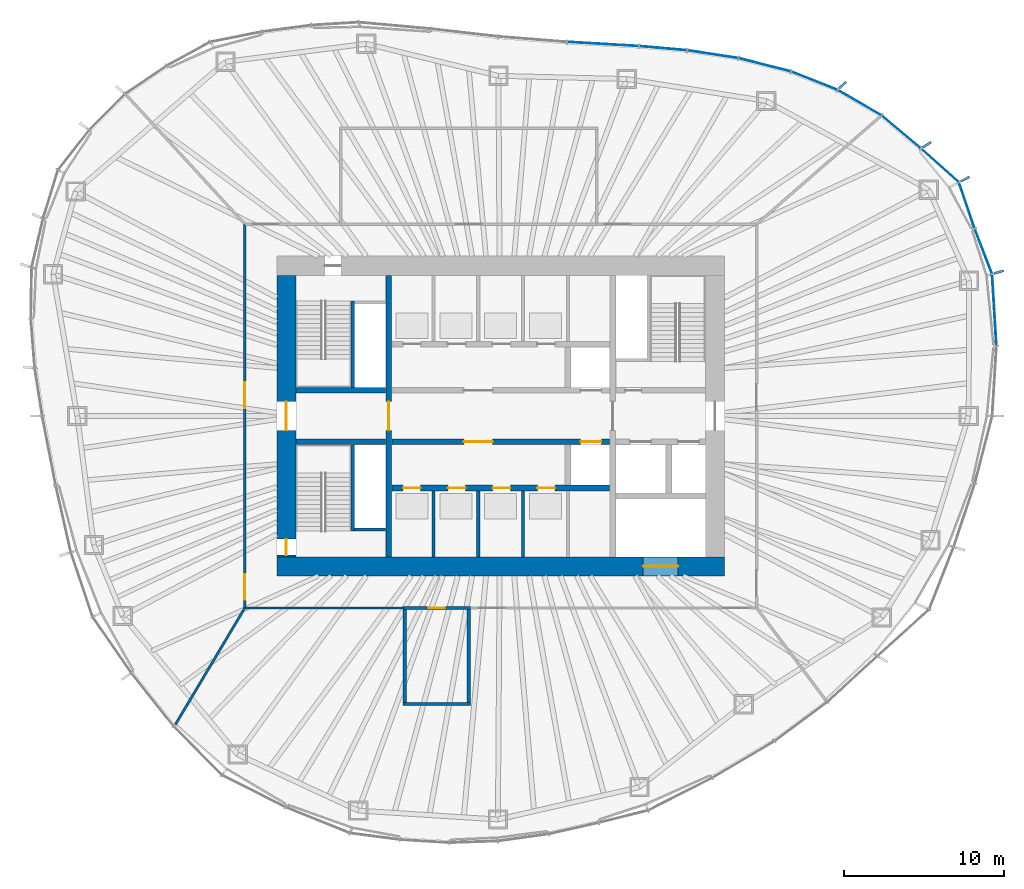
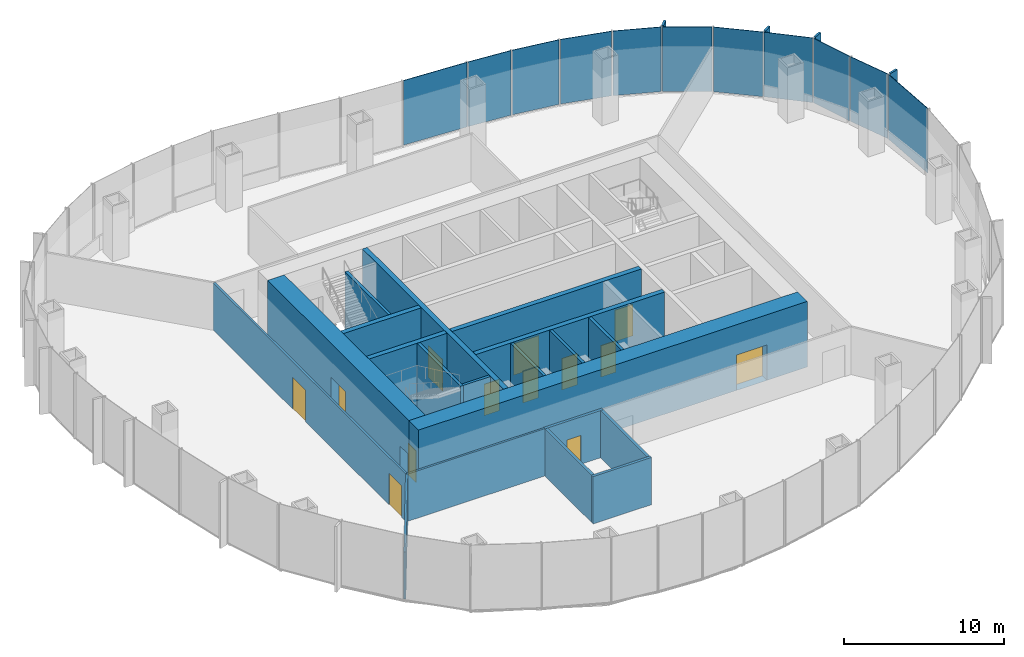
# One storey, part 8 of 18: 20 walls, 15 plates, 13 doors, 13 openings, 5 elements without a shape of their own.
"""IFC4 building model written with IfcOpenShell, lengths in metres."""

import ifcopenshell
import ifcopenshell.guid

model = None  # the IFC model being written
_history = None  # IfcOwnerHistory: only IFC2X3 demands one
_inside = {}  # id of a spatial element -> (the spatial element, [elements in it])
_under = {}  # id of a project, library or spatial element -> (it, [spatial elements below it])
_declared = {}  # id of a project -> (the project, [libraries it declares])
_typed = {}  # id of a type object -> (the type object, [elements of that type])
_made_of = {}  # id of a material, layer set ... -> (it, [elements and type objects made of it])


def new_model(schema):
    """Start an empty IFC model of exactly this schema.

    Asked for "IFC4X3", IfcOpenShell would pick the latest addendum, in which some entities
    have other attributes; the version numbers below select the first issue.
    IFC2X3 requires an IfcOwnerHistory on every rooted entity: one is made here for all.
    """
    global model, _history
    if schema == "IFC4X3":
        model = ifcopenshell.file(schema_version=(4, 3, 0, 0))
    else:
        model = ifcopenshell.file(schema=schema)
    _inside.clear()
    _under.clear()
    _declared.clear()
    _typed.clear()
    _made_of.clear()
    _history = None
    if model.schema == "IFC2X3":
        org = make("IfcOrganization", Name="unknown")
        user = make(
            "IfcPersonAndOrganization",
            ThePerson=make("IfcPerson", FamilyName="unknown"),
            TheOrganization=org,
        )
        app = make(
            "IfcApplication",
            ApplicationDeveloper=org,
            Version="unknown",
            ApplicationFullName="unknown",
            ApplicationIdentifier="unknown",
        )
        _history = make(
            "IfcOwnerHistory",
            OwningUser=user,
            OwningApplication=app,
            ChangeAction="ADDED",
            CreationDate=0,
        )
    return model


def make(cls, **values):
    """One entity of the class cls with the attributes given. An attribute that is None is left unset."""
    return model.create_entity(
        cls, **{name: value for name, value in values.items() if value is not None}
    )


def rooted(cls, **values):
    """An entity with a GlobalId (a new one), such as an element, a storey or a relation."""
    return make(cls, GlobalId=ifcopenshell.guid.new(), OwnerHistory=_history, **values)


def si_unit(unit_type, name, prefix=None):
    """IfcSIUnit, for example si_unit("LENGTHUNIT", "METRE", prefix="MILLI")."""
    return make("IfcSIUnit", UnitType=unit_type, Prefix=prefix, Name=name)


def assignment(units):
    """IfcUnitAssignment: the units of a project."""
    return None if units is None else make("IfcUnitAssignment", Units=units)


def point(xyz):
    """IfcCartesianPoint."""
    return None if xyz is None else make("IfcCartesianPoint", Coordinates=xyz)


def direction(xyz):
    """IfcDirection."""
    return None if xyz is None else make("IfcDirection", DirectionRatios=xyz)


def frame(location, z_axis=None, x_axis=None):
    """IfcAxis2Placement3D, a coordinate frame: its origin and axes. An axis left out is left unset."""
    return make(
        "IfcAxis2Placement3D",
        Location=point(location),
        Axis=direction(z_axis),
        RefDirection=direction(x_axis),
    )


def frame_2d(location, x_axis=None):
    """IfcAxis2Placement2D, a coordinate frame in the plane: its origin and x axis."""
    return make(
        "IfcAxis2Placement2D", Location=point(location), RefDirection=direction(x_axis)
    )


def origin():
    """The frame at (0, 0, 0) with its axes left unset."""
    return frame((0.0, 0.0, 0.0))


def origin_2d():
    """The frame at (0, 0) in the plane with its x axis left unset."""
    return frame_2d((0.0, 0.0))


def place(relative_to, where):
    """IfcLocalPlacement: puts the frame where relative to a parent placement (None: the world)."""
    return make(
        "IfcLocalPlacement", PlacementRelTo=relative_to, RelativePlacement=where
    )


def context(
    kind, dimensions, precision=None, world=None, true_north=None, identifier=None
):
    """IfcGeometricRepresentationContext, for example the 3D "Model" context."""
    return make(
        "IfcGeometricRepresentationContext",
        ContextIdentifier=identifier,
        ContextType=kind,
        CoordinateSpaceDimension=dimensions,
        Precision=precision,
        WorldCoordinateSystem=world,
        TrueNorth=true_north,
    )


def subcontext(parent, identifier, kind, view, scale=None):
    """IfcGeometricRepresentationSubContext, for example "Body" below "Model"."""
    return make(
        "IfcGeometricRepresentationSubContext",
        ContextIdentifier=identifier,
        ContextType=kind,
        ParentContext=parent,
        TargetScale=scale,
        TargetView=view,
    )


def project(units=None, contexts=None):
    """IfcProject with its units and contexts."""
    return rooted(
        "IfcProject",
        Name="project",
        RepresentationContexts=contexts,
        UnitsInContext=assignment(units),
    )


def spatial(cls, under=None, at=None, **own):
    """A site, building, storey or space (cls), placed at a placement, below another one or the project."""
    s = rooted(cls, ObjectPlacement=at, **own)
    if under is not None:
        _under.setdefault(under.id(), (under, []))[1].append(s)
    return s


def profile(cls, at=None, kind="AREA", **sizes):
    """A parametric profile (cls). Its sizes go by their IFC names, for example OverallWidth=200.0."""
    return make(cls, ProfileType=kind, Position=at, **sizes)


def rectangle(**sizes):
    """IfcRectangleProfileDef."""
    return profile("IfcRectangleProfileDef", **sizes)


def extrude(swept, where, along, depth):
    """IfcExtrudedAreaSolid: the profile swept, set in the frame where, extruded along a direction by depth."""
    return make(
        "IfcExtrudedAreaSolid",
        SweptArea=swept,
        Position=where,
        ExtrudedDirection=direction(along),
        Depth=depth,
    )


def shape(context_of_items, identifier, shape_type, items):
    """IfcShapeRepresentation: the items that make up one representation, for example the "Body"."""
    return make(
        "IfcShapeRepresentation",
        ContextOfItems=context_of_items,
        RepresentationIdentifier=identifier,
        RepresentationType=shape_type,
        Items=items,
    )


def material(Name=None, Category=None):
    """IfcMaterial."""
    return make("IfcMaterial", Name=Name, Category=Category)


def layer(
    of_material, thickness, ventilated=None, Name=None, Category=None, Priority=None
):
    """IfcMaterialLayer: one layer of a wall or slab, of a material (None: an air gap)."""
    return make(
        "IfcMaterialLayer",
        Material=of_material,
        LayerThickness=thickness,
        IsVentilated=ventilated,
        Name=Name,
        Category=Category,
        Priority=Priority,
    )


def layer_set(layers, Name=None):
    """IfcMaterialLayerSet."""
    return make("IfcMaterialLayerSet", MaterialLayers=layers, LayerSetName=Name)


def made_of(thing, what):
    """Note that an element or type object is made of a material, layer set ...; save() writes the relation."""
    if what is not None:
        _made_of.setdefault(what.id(), (what, []))[1].append(thing)
    return thing


def type_object(cls, material=None, **own):
    """A type object (cls), such as IfcWallType, which elements share."""
    return made_of(rooted(cls, **own), material)


def element(
    cls,
    number,
    at=None,
    inside=None,
    cuts=None,
    type_object=None,
    material=None,
    context=None,
    identifier="Body",
    shape_type=None,
    held_by="IfcProductDefinitionShape",
    body=None,
    shapes=None,
    **own,
):
    """One element of the class cls, such as IfcWall. Its Tag is "e" and its number.

    at: its placement. inside: the storey or other place that contains it. cuts: it is an
    opening in that element (IfcRelVoidsElement). A single representation is given by context,
    identifier, shape_type and body (its items); several are given by shapes. held_by: the class
    of the entity that holds the representations. save() writes the other relations.
    """
    e = rooted(cls, Tag="e%d" % number, ObjectPlacement=at, **own)
    if body is not None:
        shapes = [shape(context, identifier, shape_type, body)]
    if shapes is not None:
        e.Representation = make(held_by, Representations=shapes)
    if inside is not None:
        _inside.setdefault(inside.id(), (inside, []))[1].append(e)
    if cuts is not None:
        rooted(
            "IfcRelVoidsElement", RelatingBuildingElement=cuts, RelatedOpeningElement=e
        )
    if type_object is not None:
        _typed.setdefault(type_object.id(), (type_object, []))[1].append(e)
    return made_of(e, material)


def fill(opening, filler):
    """IfcRelFillsElement: the door or window that sits in an opening."""
    return rooted(
        "IfcRelFillsElement",
        RelatingOpeningElement=opening,
        RelatedBuildingElement=filler,
    )


def aggregate(whole, parts):
    """IfcRelAggregates: a whole, such as a stair, and the parts it consists of."""
    return rooted("IfcRelAggregates", RelatingObject=whole, RelatedObjects=parts)


def save(model, path):
    """Write the relations noted so far, then the file.

    IfcRelAggregates (storeys below a building ...), IfcRelContainedInSpatialStructure (elements
    in a storey), IfcRelDefinesByType, IfcRelAssociatesMaterial and IfcRelDeclares: one each for
    every whole, place, type object, material and project.
    """
    for whole, parts in _under.values():
        aggregate(whole, parts)
    for where, things in _inside.values():
        rooted(
            "IfcRelContainedInSpatialStructure",
            RelatedElements=things,
            RelatingStructure=where,
        )
    for kind, things in _typed.values():
        rooted("IfcRelDefinesByType", RelatedObjects=things, RelatingType=kind)
    for what, things in _made_of.values():
        rooted("IfcRelAssociatesMaterial", RelatedObjects=things, RelatingMaterial=what)
    for by, libraries in _declared.values():
        rooted("IfcRelDeclares", RelatingContext=by, RelatedDefinitions=libraries)
    model.write(path)


model = new_model("IFC4")

# Units and contexts
model_context = context("Model", 3, precision=1e-05, world=origin(), true_north=direction((0.0, 1.0)))
body_context = subcontext(model_context, "Body", "Model", "MODEL_VIEW")
ifc_project = project(units=[si_unit("LENGTHUNIT", "METRE"), si_unit("AREAUNIT", "SQUARE_METRE"), si_unit("VOLUMEUNIT", "CUBIC_METRE"), si_unit("PLANEANGLEUNIT", "RADIAN"), si_unit("MASSUNIT", "GRAM", prefix="KILO")], contexts=[model_context])

# Site, building, storey
site_placement = place(None, origin())
site = spatial("IfcSite", under=ifc_project, at=site_placement, CompositionType="ELEMENT")
building_placement = place(site_placement, origin())
building = spatial("IfcBuilding", under=site, at=building_placement, Name="Ghaith Harvest Tower", CompositionType="ELEMENT")
storey_placement = place(building_placement, frame((0.0, 0.0, 184.800048828125)))
storey = spatial("IfcBuildingStorey", under=building, at=storey_placement, Name="L40", CompositionType="ELEMENT", Elevation=184.800048828125)

# Curtain wall, plate
ifc_material_1 = material(Name="Black anodised aluminium and fritted glass", Category="aluminium")
curtain_wall_type = type_object("IfcCurtainWallType", Name="CW-S CURTAIN WALL", PredefinedType="NOTDEFINED", material=ifc_material_1)
curtain_wall_1_placement = place(storey_placement, origin())
curtain_wall_1 = element("IfcCurtainWall", 1, at=curtain_wall_1_placement, inside=storey, type_object=curtain_wall_type, Name="Curtain wall CW-S bay 01 L40", PredefinedType="NOTDEFINED")
ifc_material_2 = material(Name="Glass, dark solar-control fritted double glazed unit", Category="glass")
ifc_layer_1 = layer(ifc_material_2, 0.0400390625)
ifc_layer_set_1 = layer_set([ifc_layer_1], Name="CW-S VISION PANEL")
plate_type_1 = type_object("IfcPlateType", Name="CW-S VISION PANEL", PredefinedType="CURTAIN_PANEL", material=ifc_layer_set_1)
plate_1_placement = place(storey_placement, frame((30.863037109375, 6.63525390625, 0.080078125), z_axis=(0.0, 0.0, 1.0), x_axis=(-0.060320650032, 0.998179051663, 0.0)))
plate_1 = element("IfcPlate", 2, at=plate_1_placement, type_object=plate_type_1, Name="CW-S glass unit 2 bay 01 L40", PredefinedType="CURTAIN_PANEL", context=body_context, shape_type="SweptSolid", body=[
    extrude(rectangle(XDim=4.419189453125, YDim=0.0400390625, at=origin_2d()), origin(), (0.0, 0.0, 1.0), 4.919921875),
])
aggregate(curtain_wall_1, [plate_1])

# Curtain wall, plates
curtain_wall_2_placement = place(storey_placement, origin())
curtain_wall_2 = element("IfcCurtainWall", 3, at=curtain_wall_2_placement, inside=storey, type_object=curtain_wall_type, Name="Curtain wall CW-S bay 02 L40", PredefinedType="NOTDEFINED")
plate_2_placement = place(storey_placement, frame((30.180908203125, 10.29833984375, 0.080078125), z_axis=(0.0, 0.0, 1.0), x_axis=(-0.359676824997, 0.933076943001, 0.0)))
plate_2 = element("IfcPlate", 4, at=plate_2_placement, type_object=plate_type_1, Name="CW-S glass unit 1 bay 02 L40", PredefinedType="CURTAIN_PANEL", context=body_context, shape_type="SweptSolid", body=[
    extrude(rectangle(XDim=2.95849609375, YDim=0.0400390625, at=origin_2d()), origin(), (0.0, 0.0, 1.0), 4.919921875),
])
plate_3_placement = place(storey_placement, frame((29.142333984375, 13.163818359375, 0.080078125), z_axis=(0.0, 0.0, 1.0), x_axis=(-0.321853304376, 0.946789549194, 0.0)))
plate_3 = element("IfcPlate", 5, at=plate_3_placement, type_object=plate_type_1, Name="CW-S glass unit 2 bay 02 L40", PredefinedType="CURTAIN_PANEL", context=body_context, shape_type="SweptSolid", body=[
    extrude(rectangle(XDim=2.978759765625, YDim=0.0400390625, at=origin_2d()), origin(), (0.0, 0.0, 1.0), 4.919921875),
])
plate_4_placement = place(storey_placement, frame((27.46533203125, 15.668701171875, 0.080078125), z_axis=(0.0, 0.0, 1.0), x_axis=(-0.746250544556, 0.665665174656, 0.0)))
plate_4 = element("IfcPlate", 6, at=plate_4_placement, type_object=plate_type_1, Name="CW-S glass unit 3 bay 02 L40", PredefinedType="CURTAIN_PANEL", context=body_context, shape_type="SweptSolid", body=[
    extrude(rectangle(XDim=3.094970703125, YDim=0.0400390625, at=origin_2d()), origin(), (0.0, 0.0, 1.0), 4.919921875),
])
aggregate(curtain_wall_2, [plate_2, plate_3, plate_4])

curtain_wall_3_placement = place(storey_placement, origin())
curtain_wall_3 = element("IfcCurtainWall", 7, at=curtain_wall_3_placement, inside=storey, type_object=curtain_wall_type, Name="Curtain wall CW-S bay 03 L40", PredefinedType="NOTDEFINED")
plate_5_placement = place(storey_placement, frame((25.05126953125, 17.7587890625, 0.080078125), z_axis=(0.0, 0.0, 1.0), x_axis=(-0.765473064857, 0.643467937801, 0.0)))
plate_5 = element("IfcPlate", 8, at=plate_5_placement, type_object=plate_type_1, Name="CW-S glass unit 1 bay 03 L40", PredefinedType="CURTAIN_PANEL", context=body_context, shape_type="SweptSolid", body=[
    extrude(rectangle(XDim=3.13232421875, YDim=0.0400390625, at=origin_2d()), origin(), (0.0, 0.0, 1.0), 4.919921875),
])
plate_6_placement = place(storey_placement, frame((22.444091796875, 19.590576171875, 0.080078125), z_axis=(0.0, 0.0, 1.0), x_axis=(-0.865232087993, 0.501371552751, 0.0)))
plate_6 = element("IfcPlate", 9, at=plate_6_placement, type_object=plate_type_1, Name="CW-S glass unit 2 bay 03 L40", PredefinedType="CURTAIN_PANEL", context=body_context, shape_type="SweptSolid", body=[
    extrude(rectangle(XDim=3.10498046875, YDim=0.0400390625, at=origin_2d()), origin(), (0.0, 0.0, 1.0), 4.919921875),
])
plate_7_placement = place(storey_placement, frame((19.6142578125, 20.963623046875, 0.080078125), z_axis=(0.0, 0.0, 1.0), x_axis=(-0.929876534019, 0.367871759558, 0.0)))
plate_7 = element("IfcPlate", 10, at=plate_7_placement, type_object=plate_type_1, Name="CW-S glass unit 3 bay 03 L40", PredefinedType="CURTAIN_PANEL", context=body_context, shape_type="SweptSolid", body=[
    extrude(rectangle(XDim=3.042724609375, YDim=0.0400390625, at=origin_2d()), origin(), (0.0, 0.0, 1.0), 4.919921875),
])
aggregate(curtain_wall_3, [plate_5, plate_6, plate_7])

curtain_wall_4_placement = place(storey_placement, origin())
curtain_wall_4 = element("IfcCurtainWall", 11, at=curtain_wall_4_placement, inside=storey, type_object=curtain_wall_type, Name="Curtain wall CW-S bay 04 L40", PredefinedType="NOTDEFINED")
plate_8_placement = place(storey_placement, frame((16.513427734375, 21.958740234375, 0.080078125), z_axis=(0.0, 0.0, 1.0), x_axis=(-0.96893110987, 0.247330758955, 0.0)))
plate_8 = element("IfcPlate", 12, at=plate_8_placement, type_object=plate_type_1, Name="CW-S glass unit 1 bay 04 L40", PredefinedType="CURTAIN_PANEL", context=body_context, shape_type="SweptSolid", body=[
    extrude(rectangle(XDim=3.3232421875, YDim=0.0400390625, at=origin_2d()), origin(), (0.0, 0.0, 1.0), 4.919921875),
])
plate_9_placement = place(storey_placement, frame((13.2685546875, 22.621826171875, 0.080078125), z_axis=(0.0, 0.0, 1.0), x_axis=(-0.988678736369, 0.150047846542, 0.0)))
plate_9 = element("IfcPlate", 13, at=plate_9_placement, type_object=plate_type_1, Name="CW-S glass unit 2 bay 04 L40", PredefinedType="CURTAIN_PANEL", context=body_context, shape_type="SweptSolid", body=[
    extrude(rectangle(XDim=3.14892578125, YDim=0.0400390625, at=origin_2d()), origin(), (0.0, 0.0, 1.0), 4.919921875),
])
plate_10_placement = place(storey_placement, frame((10.15966796875, 22.9970703125, 0.080078125), z_axis=(0.0, 0.0, 1.0), x_axis=(-0.996166190972, 0.087480969151, 0.0)))
plate_10 = element("IfcPlate", 14, at=plate_10_placement, type_object=plate_type_1, Name="CW-S glass unit 3 bay 04 L40", PredefinedType="CURTAIN_PANEL", context=body_context, shape_type="SweptSolid", body=[
    extrude(rectangle(XDim=2.957275390625, YDim=0.0400390625, at=origin_2d()), origin(), (0.0, 0.0, 1.0), 4.919921875),
])
aggregate(curtain_wall_4, [plate_8, plate_9, plate_10])

# Curtain wall, plate
curtain_wall_5_placement = place(storey_placement, origin())
curtain_wall_5 = element("IfcCurtainWall", 15, at=curtain_wall_5_placement, inside=storey, type_object=curtain_wall_type, Name="Curtain wall CW-S bay 05 L40", PredefinedType="NOTDEFINED")
plate_11_placement = place(storey_placement, frame((6.396728515625, 23.260498046875, 0.080078125), z_axis=(0.0, 0.0, 1.0), x_axis=(-0.998320798751, 0.05792739233, 0.0)))
plate_11 = element("IfcPlate", 16, at=plate_11_placement, type_object=plate_type_1, Name="CW-S glass unit 1 bay 05 L40", PredefinedType="CURTAIN_PANEL", context=body_context, shape_type="SweptSolid", body=[
    extrude(rectangle(XDim=4.427734375, YDim=0.0400390625, at=origin_2d()), origin(), (0.0, 0.0, 1.0), 4.919921875),
])
aggregate(curtain_wall_5, [plate_11])

# Plates
ifc_material_3 = material(Name="Glassfibre-reinforced concrete", Category="concrete")
ifc_layer_2 = layer(ifc_material_3, 0.14990234375)
ifc_layer_set_2 = layer_set([ifc_layer_2], Name="SUN-BREAKER FIN 600x150")
plate_type_2 = type_object("IfcPlateType", Name="SUN-BREAKER FIN 600x150", PredefinedType="USERDEFINED", material=ifc_layer_set_2)
for number, where, z_axis, x_axis, name in (
    (17, (31.14990234375, 9.0029296875, 0.0), (0.0, 0.0, 1.0), (0.960680349985, 0.277656739792, 0.0), "Sun-breaker fin CW-S 1 bay 02 L40"),
    (18, (29.0419921875, 14.811767578125, 0.0), (0.0, 0.0, 1.0), (0.890830752257, 0.454335306611, 0.0), "Sun-breaker fin CW-S 3 bay 02 L40"),
    (19, (26.65185546875, 16.96142578125, 0.0), (0.0, 0.0, 1.0), (0.843643971464, 0.536903016766, 0.0), "Sun-breaker fin CW-S 1 bay 03 L40"),
    (20, (21.38232421875, 20.695068359375, 0.0), (0.0, 0.0, 1.0), (0.7185589652, 0.69546604053, 0.0), "Sun-breaker fin CW-S 3 bay 03 L40"),
):
    element("IfcPlate", number, at=place(storey_placement, frame(where, z_axis=z_axis, x_axis=x_axis)), inside=storey, type_object=plate_type_2, Name=name, ObjectType="SUN-BREAKER FIN", PredefinedType="USERDEFINED", context=body_context, shape_type="SweptSolid", body=[
        extrude(rectangle(XDim=0.60009765625, YDim=0.14990234375, at=origin_2d()), origin(), (0.0, 0.0, 1.0), 5.0),
    ])

# Wall
ifc_material_4 = material(Name="Twin-stud gypsum board, acoustic", Category="gypsum")
ifc_layer_3 = layer(ifc_material_4, 0.199951171875)
ifc_layer_set_3 = layer_set([ifc_layer_3], Name="ACOUSTIC PARTITION 200")
wall_type_1 = type_object("IfcWallType", Name="ACOUSTIC PARTITION 200", PredefinedType="PARTITIONING", material=ifc_layer_set_3)
wall_1_placement = place(storey_placement, frame((-6.10009765625, -18.0, 0.0), z_axis=(0.0, 0.0, 1.0), x_axis=(1.0, 0.0, 0.0)))
element("IfcWall", 21, at=wall_1_placement, inside=storey, type_object=wall_type_1, Name="Partition L40-02", PredefinedType="PARTITIONING", context=body_context, shape_type="SweptSolid", body=[
    extrude(rectangle(XDim=4.2001953125, YDim=0.199951171875, at=frame_2d((2.10009765625, 0.0))), origin(), (0.0, 0.0, 1.0), 3.599853515625),
])

# Wall, opening, door
wall_2_placement = place(storey_placement, frame((-6.10009765625, -12.0, 0.0), z_axis=(0.0, 0.0, 1.0), x_axis=(1.0, 0.0, 0.0)))
wall_2 = element("IfcWall", 22, at=wall_2_placement, inside=storey, type_object=wall_type_1, Name="Partition L40-02", PredefinedType="PARTITIONING", context=body_context, shape_type="SweptSolid", body=[
    extrude(rectangle(XDim=4.2001953125, YDim=0.199951171875, at=frame_2d((2.10009765625, 0.0))), origin(), (0.0, 0.0, 1.0), 3.599853515625),
])
opening_1_placement = place(wall_2_placement, frame((1.60009765625, 0.0, 0.0)))
opening_1 = element("IfcOpeningElement", 23, at=opening_1_placement, cuts=wall_2, Name="Opening 40-024", PredefinedType="OPENING", context=body_context, shape_type="SweptSolid", body=[
    extrude(rectangle(XDim=1.0, YDim=2.199951171875, at=frame_2d((0.5, 1.10009765625))), frame((0.0, 0.10986328125, 0.0), z_axis=(0.0, -1.0, 0.0), x_axis=(1.0, 0.0, 0.0)), (0.0, 0.0, 1.0), 0.219970703125),
])
ifc_material_5 = material(Name="Timber door", Category="wood")
door_type_1 = type_object("IfcDoorType", Name="D1 SINGLE 1000x2200", OperationType="SINGLE_SWING_LEFT", PredefinedType="DOOR", material=ifc_material_5)
door_1_placement = place(opening_1_placement, origin())
door_1 = element("IfcDoor", 24, at=door_1_placement, inside=storey, type_object=door_type_1, Name="Prayer room door", OperationType="SINGLE_SWING_LEFT", OverallHeight=2.199951171875, OverallWidth=1.0, PredefinedType="DOOR", context=body_context, shape_type="SweptSolid", body=[
    extrude(rectangle(XDim=1.0, YDim=2.199951171875, at=frame_2d((0.5, 1.10009765625))), frame((0.0, 0.02490234375, 0.0), z_axis=(0.0, -1.0, 0.0), x_axis=(1.0, 0.0, 0.0)), (0.0, 0.0, 1.0), 0.050048828125),
])
fill(opening_1, door_1)

# Walls
for number, where, z_axis, x_axis, name in (
    (25, (-6.0, -17.89990234375, 0.0), (0.0, 0.0, 1.0), (0.0, 1.0, 0.0), "Partition L40-02"),
    (26, (-2.0, -17.89990234375, 0.0), (0.0, 0.0, 1.0), (0.0, 1.0, 0.0), "Partition L40-02"),
):
    element("IfcWall", number, at=place(storey_placement, frame(where, z_axis=z_axis, x_axis=x_axis)), inside=storey, type_object=wall_type_1, Name=name, PredefinedType="PARTITIONING", context=body_context, shape_type="SweptSolid", body=[
        extrude(rectangle(XDim=5.7998046875, YDim=0.199951171875, at=frame_2d((2.89990234375, 0.0))), origin(), (0.0, 0.0, 1.0), 3.599853515625),
    ])

# Wall, opening, door
ifc_material_6 = material(Name="Concrete C60/75", Category="concrete")
ifc_layer_4 = layer(ifc_material_6, 1.199951171875)
ifc_layer_set_4 = layer_set([ifc_layer_4], Name="CORE WALL CW1200 C60")
wall_type_2 = type_object("IfcWallType", Name="CORE WALL CW1200 C60", PredefinedType="SHEAR", material=ifc_layer_set_4)
wall_3_placement = place(storey_placement, frame((-14.0, -9.39990234375, 0.0), z_axis=(0.0, 0.0, 1.0), x_axis=(1.0, 0.0, 0.0)))
wall_3 = element("IfcWall", 27, at=wall_3_placement, inside=storey, type_object=wall_type_2, Name="Core wall S L40", PredefinedType="SHEAR", context=body_context, shape_type="SweptSolid", body=[
    extrude(rectangle(XDim=28.0, YDim=1.199951171875, at=frame_2d((14.0, 0.0))), origin(), (0.0, 0.0, 1.0), 5.0),
])
opening_2_placement = place(wall_3_placement, frame((22.89990234375, 0.0, 0.0)))
opening_2 = element("IfcOpeningElement", 28, at=opening_2_placement, cuts=wall_3, Name="Opening 40-022", PredefinedType="OPENING", context=body_context, shape_type="SweptSolid", body=[
    extrude(rectangle(XDim=2.199951171875, YDim=2.699951171875, at=frame_2d((1.10009765625, 1.35009765625))), frame((0.0, 0.60986328125, 0.0), z_axis=(0.0, -1.0, 0.0), x_axis=(1.0, 0.0, 0.0)), (0.0, 0.0, 1.0), 1.219970703125),
])
ifc_material_7 = material(Name="Steel fire door", Category="steel")
door_type_2 = type_object("IfcDoorType", Name="LD3 LANDING 2200x2700", OperationType="DOUBLE_DOOR_SLIDING", PredefinedType="DOOR", material=ifc_material_7)
door_2_placement = place(opening_2_placement, origin())
door_2 = element("IfcDoor", 29, at=door_2_placement, inside=storey, type_object=door_type_2, Name="Landing door, goods lift GL1", OperationType="DOUBLE_DOOR_SLIDING", OverallHeight=2.699951171875, OverallWidth=2.199951171875, PredefinedType="DOOR", context=body_context, shape_type="SweptSolid", body=[
    extrude(rectangle(XDim=2.199951171875, YDim=2.699951171875, at=frame_2d((1.10009765625, 1.35009765625))), frame((0.0, 0.02490234375, 0.0), z_axis=(0.0, -1.0, 0.0), x_axis=(1.0, 0.0, 0.0)), (0.0, 0.0, 1.0), 0.050048828125),
])
fill(opening_2, door_2)

# Wall, openings, doors
wall_4_placement = place(storey_placement, frame((-13.39990234375, 8.800048828125, 0.0), z_axis=(0.0, 0.0, 1.0), x_axis=(0.0, -1.0, 0.0)))
wall_4 = element("IfcWall", 30, at=wall_4_placement, inside=storey, type_object=wall_type_2, Name="Core wall W L40", PredefinedType="SHEAR", context=body_context, shape_type="SweptSolid", body=[
    extrude(rectangle(XDim=17.60009765625, YDim=1.199951171875, at=frame_2d((8.800048828125, 0.0))), origin(), (0.0, 0.0, 1.0), 5.0),
])
opening_3_placement = place(wall_4_placement, frame((7.89990234375, 0.0, 0.0)))
opening_3 = element("IfcOpeningElement", 31, at=opening_3_placement, cuts=wall_4, Name="Opening 40-001", PredefinedType="OPENING", context=body_context, shape_type="SweptSolid", body=[
    extrude(rectangle(XDim=1.800048828125, YDim=2.39990234375, at=frame_2d((0.89990234375, 1.199951171875))), frame((0.0, 0.60986328125, 0.0), z_axis=(0.0, -1.0, 0.0), x_axis=(1.0, 0.0, 0.0)), (0.0, 0.0, 1.0), 1.219970703125),
])
opening_4_placement = place(wall_4_placement, frame((16.5, 0.0, 0.0)))
opening_4 = element("IfcOpeningElement", 32, at=opening_4_placement, cuts=wall_4, Name="Opening 40-006", PredefinedType="OPENING", context=body_context, shape_type="SweptSolid", body=[
    extrude(rectangle(XDim=1.0, YDim=2.39990234375, at=frame_2d((0.5, 1.199951171875))), frame((0.0, 0.60986328125, 0.0), z_axis=(0.0, -1.0, 0.0), x_axis=(1.0, 0.0, 0.0)), (0.0, 0.0, 1.0), 1.219970703125),
])
ifc_material_8 = material(Name="Steel fire door", Category="steel")
door_type_3 = type_object("IfcDoorType", Name="D3 FD90 1000x2400", OperationType="SINGLE_SWING_LEFT", PredefinedType="DOOR", material=ifc_material_8)
door_3_placement = place(opening_4_placement, origin())
door_3 = element("IfcDoor", 33, at=door_3_placement, inside=storey, type_object=door_type_3, Name="Stair ST3 door", OperationType="SINGLE_SWING_RIGHT", OverallHeight=2.39990234375, OverallWidth=1.0, PredefinedType="DOOR", context=body_context, shape_type="SweptSolid", body=[
    extrude(rectangle(XDim=1.0, YDim=2.39990234375, at=frame_2d((0.5, 1.199951171875))), frame((0.0, 0.02490234375, 0.0), z_axis=(0.0, -1.0, 0.0), x_axis=(1.0, 0.0, 0.0)), (0.0, 0.0, 1.0), 0.050048828125),
])
fill(opening_4, door_3)
ifc_material_9 = material(Name="Steel fire door", Category="steel")
door_type_4 = type_object("IfcDoorType", Name="D4 FD90 PAIR 1800x2400", OperationType="DOUBLE_DOOR_SINGLE_SWING", PredefinedType="DOOR", material=ifc_material_9)
door_4_placement = place(opening_3_placement, origin())
door_4 = element("IfcDoor", 34, at=door_4_placement, inside=storey, type_object=door_type_4, Name="West lobby doors", OperationType="DOUBLE_DOOR_SINGLE_SWING", OverallHeight=2.39990234375, OverallWidth=1.800048828125, PredefinedType="DOOR", context=body_context, shape_type="SweptSolid", body=[
    extrude(rectangle(XDim=1.800048828125, YDim=2.39990234375, at=frame_2d((0.89990234375, 1.199951171875))), frame((0.0, 0.02490234375, 0.0), z_axis=(0.0, -1.0, 0.0), x_axis=(1.0, 0.0, 0.0)), (0.0, 0.0, 1.0), 0.050048828125),
])
fill(opening_3, door_4)

# Walls
ifc_material_10 = material(Name="Concrete blockwork, 2-hour", Category="masonry")
ifc_layer_5 = layer(ifc_material_10, 0.199951171875)
ifc_layer_set_5 = layer_set([ifc_layer_5], Name="LIFT SHAFT WALL 200")
wall_type_3 = type_object("IfcWallType", Name="LIFT SHAFT WALL 200", PredefinedType="PARTITIONING", material=ifc_layer_set_5)
for number, where, z_axis, x_axis, name in (
    (35, (-4.199951171875, -4.699951171875, 0.0), (0.0, 0.0, 1.0), (0.0, -1.0, 0.0), "Lift shaft wall L40"),
    (36, (-1.39990234375, -4.699951171875, 0.0), (0.0, 0.0, 1.0), (0.0, -1.0, 0.0), "Lift shaft wall L40"),
    (37, (1.39990234375, -4.699951171875, 0.0), (0.0, 0.0, 1.0), (0.0, -1.0, 0.0), "Lift shaft wall L40"),
):
    element("IfcWall", number, at=place(storey_placement, frame(where, z_axis=z_axis, x_axis=x_axis)), inside=storey, type_object=wall_type_3, Name=name, PredefinedType="PARTITIONING", context=body_context, shape_type="SweptSolid", body=[
        extrude(rectangle(XDim=4.10009765625, YDim=0.199951171875, at=frame_2d((2.050048828125, 0.0))), origin(), (0.0, 0.0, 1.0), 5.0),
    ])
ifc_material_11 = material(Name="Gypsum board on steel studs", Category="steel")
ifc_layer_6 = layer(ifc_material_11, 0.14990234375)
ifc_layer_set_6 = layer_set([ifc_layer_6], Name="PARTITION 150")
wall_type_4 = type_object("IfcWallType", Name="PARTITION 150", PredefinedType="PARTITIONING", material=ifc_layer_set_6)
wall_5_placement = place(storey_placement, frame((-16.01025390625, -12.01708984375, 0.0), z_axis=(0.0, 0.0, 1.0), x_axis=(-0.511508688443, -0.85927810495, 0.0)))
element("IfcWall", 38, at=wall_5_placement, inside=storey, type_object=wall_type_4, Name="Partition L40 zone division", PredefinedType="PARTITIONING", context=body_context, shape_type="SweptSolid", body=[
    extrude(rectangle(XDim=8.470458984375, YDim=0.14990234375, at=frame_2d((4.2353515625, 0.0))), origin(), (0.0, 0.0, 1.0), 3.599853515625),
])
wall_6_placement = place(storey_placement, frame((-16.0, -12.0, 0.0), z_axis=(0.0, 0.0, 1.0), x_axis=(1.0, 0.0, 0.0)))
element("IfcWall", 39, at=wall_6_placement, inside=storey, type_object=wall_type_4, Name="Partition L40 zone enclosure", PredefinedType="PARTITIONING", context=body_context, shape_type="SweptSolid", body=[
    extrude(rectangle(XDim=10.0, YDim=0.14990234375, at=frame_2d((5.0, 0.0))), origin(), (0.0, 0.0, 1.0), 3.599853515625),
])

# Wall, openings, doors
wall_7_placement = place(storey_placement, frame((-16.0, 12.0, 0.0), z_axis=(0.0, 0.0, 1.0), x_axis=(0.0, -1.0, 0.0)))
wall_7 = element("IfcWall", 40, at=wall_7_placement, inside=storey, type_object=wall_type_4, Name="Partition L40 zone enclosure", PredefinedType="PARTITIONING", context=body_context, shape_type="SweptSolid", body=[
    extrude(rectangle(XDim=24.0, YDim=0.14990234375, at=frame_2d((12.0, 0.0))), origin(), (0.0, 0.0, 1.0), 3.599853515625),
])
opening_5_placement = place(wall_7_placement, frame((9.89990234375, 0.0, 0.0)))
opening_5 = element("IfcOpeningElement", 41, at=opening_5_placement, cuts=wall_7, Name="Opening 40-031", PredefinedType="OPENING", context=body_context, shape_type="SweptSolid", body=[
    extrude(rectangle(XDim=1.60009765625, YDim=2.39990234375, at=frame_2d((0.800048828125, 1.199951171875))), frame((0.0, 0.0849609375, 0.0), z_axis=(0.0, -1.0, 0.0), x_axis=(1.0, 0.0, 0.0)), (0.0, 0.0, 1.0), 0.169921875),
])
opening_6_placement = place(wall_7_placement, frame((21.89990234375, 0.0, 0.0)))
opening_6 = element("IfcOpeningElement", 42, at=opening_6_placement, cuts=wall_7, Name="Opening 40-032", PredefinedType="OPENING", context=body_context, shape_type="SweptSolid", body=[
    extrude(rectangle(XDim=1.60009765625, YDim=2.39990234375, at=frame_2d((0.800048828125, 1.199951171875))), frame((0.0, 0.0849609375, 0.0), z_axis=(0.0, -1.0, 0.0), x_axis=(1.0, 0.0, 0.0)), (0.0, 0.0, 1.0), 0.169921875),
])
ifc_material_12 = material(Name="Timber door", Category="wood")
door_type_5 = type_object("IfcDoorType", Name="D2 PAIR 1600x2400", OperationType="DOUBLE_DOOR_SINGLE_SWING", PredefinedType="DOOR", material=ifc_material_12)
door_5_placement = place(opening_5_placement, origin())
door_5 = element("IfcDoor", 43, at=door_5_placement, inside=storey, type_object=door_type_5, Name="Exhibition gallery west door", OperationType="DOUBLE_DOOR_SINGLE_SWING", OverallHeight=2.39990234375, OverallWidth=1.60009765625, PredefinedType="DOOR", context=body_context, shape_type="SweptSolid", body=[
    extrude(rectangle(XDim=1.60009765625, YDim=2.39990234375, at=frame_2d((0.800048828125, 1.199951171875))), frame((0.0, 0.02490234375, 0.0), z_axis=(0.0, -1.0, 0.0), x_axis=(1.0, 0.0, 0.0)), (0.0, 0.0, 1.0), 0.050048828125),
])
fill(opening_5, door_5)
door_6_placement = place(opening_6_placement, origin())
door_6 = element("IfcDoor", 44, at=door_6_placement, inside=storey, type_object=door_type_5, Name="Exhibition gallery west door", OperationType="DOUBLE_DOOR_SINGLE_SWING", OverallHeight=2.39990234375, OverallWidth=1.60009765625, PredefinedType="DOOR", context=body_context, shape_type="SweptSolid", body=[
    extrude(rectangle(XDim=1.60009765625, YDim=2.39990234375, at=frame_2d((0.800048828125, 1.199951171875))), frame((0.0, 0.02490234375, 0.0), z_axis=(0.0, -1.0, 0.0), x_axis=(1.0, 0.0, 0.0)), (0.0, 0.0, 1.0), 0.050048828125),
])
fill(opening_6, door_6)

# Wall, opening, door
ifc_material_13 = material(Name="Concrete C60/75", Category="concrete")
ifc_layer_7 = layer(ifc_material_13, 0.35009765625)
ifc_layer_set_7 = layer_set([ifc_layer_7], Name="SHAFT WALL 350")
wall_type_5 = type_object("IfcWallType", Name="SHAFT WALL 350", PredefinedType="SHEAR", material=ifc_layer_set_7)
wall_8_placement = place(storey_placement, frame((-7.0, -8.800048828125, 0.0), z_axis=(0.0, 0.0, 1.0), x_axis=(0.0, 1.0, 0.0)))
wall_8 = element("IfcWall", 45, at=wall_8_placement, inside=storey, type_object=wall_type_5, Name="Shaft wall W7W L40", PredefinedType="SHEAR", context=body_context, shape_type="SweptSolid", body=[
    extrude(rectangle(XDim=17.60009765625, YDim=0.35009765625, at=frame_2d((8.800048828125, 0.0))), origin(), (0.0, 0.0, 1.0), 5.0),
])
opening_7_placement = place(wall_8_placement, frame((7.89990234375, 0.0, 0.0)))
opening_7 = element("IfcOpeningElement", 46, at=opening_7_placement, cuts=wall_8, Name="Opening 40-003", PredefinedType="OPENING", context=body_context, shape_type="SweptSolid", body=[
    extrude(rectangle(XDim=1.800048828125, YDim=2.39990234375, at=frame_2d((0.89990234375, 1.199951171875))), frame((0.0, 0.18505859375, 0.0), z_axis=(0.0, -1.0, 0.0), x_axis=(1.0, 0.0, 0.0)), (0.0, 0.0, 1.0), 0.3701171875),
])
door_7_placement = place(opening_7_placement, origin())
door_7 = element("IfcDoor", 47, at=door_7_placement, inside=storey, type_object=door_type_4, Name="Lift lobby doors, west", OperationType="DOUBLE_DOOR_SINGLE_SWING", OverallHeight=2.39990234375, OverallWidth=1.800048828125, PredefinedType="DOOR", context=body_context, shape_type="SweptSolid", body=[
    extrude(rectangle(XDim=1.800048828125, YDim=2.39990234375, at=frame_2d((0.89990234375, 1.199951171875))), frame((0.0, 0.02490234375, 0.0), z_axis=(0.0, -1.0, 0.0), x_axis=(1.0, 0.0, 0.0)), (0.0, 0.0, 1.0), 0.050048828125),
])
fill(opening_7, door_7)

# Wall, openings, doors
wall_9_placement = place(storey_placement, frame((-6.800048828125, -1.60009765625, 0.0), z_axis=(0.0, 0.0, 1.0), x_axis=(1.0, 0.0, 0.0)))
wall_9 = element("IfcWall", 48, at=wall_9_placement, inside=storey, type_object=wall_type_5, Name="Shaft wall LS L40", PredefinedType="SHEAR", context=body_context, shape_type="SweptSolid", body=[
    extrude(rectangle(XDim=13.60009765625, YDim=0.35009765625, at=frame_2d((6.800048828125, 0.0))), origin(), (0.0, 0.0, 1.0), 5.0),
])
opening_8_placement = place(wall_9_placement, frame((4.5, 0.0, 0.0)))
opening_8 = element("IfcOpeningElement", 49, at=opening_8_placement, cuts=wall_9, Name="Opening 40-009", PredefinedType="OPENING", context=body_context, shape_type="SweptSolid", body=[
    extrude(rectangle(XDim=1.800048828125, YDim=2.39990234375, at=frame_2d((0.89990234375, 1.199951171875))), frame((0.0, 0.18505859375, 0.0), z_axis=(0.0, -1.0, 0.0), x_axis=(1.0, 0.0, 0.0)), (0.0, 0.0, 1.0), 0.3701171875),
])
opening_9_placement = place(wall_9_placement, frame((11.800048828125, 0.0, 0.0)))
opening_9 = element("IfcOpeningElement", 50, at=opening_9_placement, cuts=wall_9, Name="Opening 40-019", PredefinedType="OPENING", context=body_context, shape_type="SweptSolid", body=[
    extrude(rectangle(XDim=1.300048828125, YDim=2.39990234375, at=frame_2d((0.64990234375, 1.199951171875))), frame((0.0, 0.18505859375, 0.0), z_axis=(0.0, -1.0, 0.0), x_axis=(1.0, 0.0, 0.0)), (0.0, 0.0, 1.0), 0.3701171875),
])
door_8_placement = place(opening_8_placement, origin())
door_8 = element("IfcDoor", 51, at=door_8_placement, inside=storey, type_object=door_type_4, Name="Lift lobby doors, upper-zone bank", OperationType="DOUBLE_DOOR_SINGLE_SWING", OverallHeight=2.39990234375, OverallWidth=1.800048828125, PredefinedType="DOOR", context=body_context, shape_type="SweptSolid", body=[
    extrude(rectangle(XDim=1.800048828125, YDim=2.39990234375, at=frame_2d((0.89990234375, 1.199951171875))), frame((0.0, 0.02490234375, 0.0), z_axis=(0.0, -1.0, 0.0), x_axis=(1.0, 0.0, 0.0)), (0.0, 0.0, 1.0), 0.050048828125),
])
fill(opening_8, door_8)
ifc_material_14 = material(Name="Steel fire door", Category="steel")
door_type_6 = type_object("IfcDoorType", Name="LD2 LANDING 1300x2400", OperationType="DOUBLE_DOOR_SLIDING", PredefinedType="DOOR", material=ifc_material_14)
door_9_placement = place(opening_9_placement, origin())
door_9 = element("IfcDoor", 52, at=door_9_placement, inside=storey, type_object=door_type_6, Name="Landing door, lift SH2", OperationType="DOUBLE_DOOR_SLIDING", OverallHeight=2.39990234375, OverallWidth=1.300048828125, PredefinedType="DOOR", context=body_context, shape_type="SweptSolid", body=[
    extrude(rectangle(XDim=1.300048828125, YDim=2.39990234375, at=frame_2d((0.64990234375, 1.199951171875))), frame((0.0, 0.02490234375, 0.0), z_axis=(0.0, -1.0, 0.0), x_axis=(1.0, 0.0, 0.0)), (0.0, 0.0, 1.0), 0.050048828125),
])
fill(opening_9, door_9)

wall_10_placement = place(storey_placement, frame((-6.800048828125, -4.5, 0.0), z_axis=(0.0, 0.0, 1.0), x_axis=(1.0, 0.0, 0.0)))
wall_10 = element("IfcWall", 53, at=wall_10_placement, inside=storey, type_object=wall_type_5, Name="Shaft wall BS L40", PredefinedType="SHEAR", context=body_context, shape_type="SweptSolid", body=[
    extrude(rectangle(XDim=13.60009765625, YDim=0.35009765625, at=frame_2d((6.800048828125, 0.0))), origin(), (0.0, 0.0, 1.0), 5.0),
])
opening_10_placement = place(wall_10_placement, frame((0.699951171875, 0.0, 0.0)))
opening_10 = element("IfcOpeningElement", 54, at=opening_10_placement, cuts=wall_10, Name="Opening 40-011", PredefinedType="OPENING", context=body_context, shape_type="SweptSolid", body=[
    extrude(rectangle(XDim=1.10009765625, YDim=2.39990234375, at=frame_2d((0.550048828125, 1.199951171875))), frame((0.0, 0.18505859375, 0.0), z_axis=(0.0, -1.0, 0.0), x_axis=(1.0, 0.0, 0.0)), (0.0, 0.0, 1.0), 0.3701171875),
])
opening_11_placement = place(wall_10_placement, frame((3.5, 0.0, 0.0)))
opening_11 = element("IfcOpeningElement", 55, at=opening_11_placement, cuts=wall_10, Name="Opening 40-013", PredefinedType="OPENING", context=body_context, shape_type="SweptSolid", body=[
    extrude(rectangle(XDim=1.10009765625, YDim=2.39990234375, at=frame_2d((0.550048828125, 1.199951171875))), frame((0.0, 0.18505859375, 0.0), z_axis=(0.0, -1.0, 0.0), x_axis=(1.0, 0.0, 0.0)), (0.0, 0.0, 1.0), 0.3701171875),
])
opening_12_placement = place(wall_10_placement, frame((6.300048828125, 0.0, 0.0)))
opening_12 = element("IfcOpeningElement", 56, at=opening_12_placement, cuts=wall_10, Name="Opening 40-015", PredefinedType="OPENING", context=body_context, shape_type="SweptSolid", body=[
    extrude(rectangle(XDim=1.10009765625, YDim=2.39990234375, at=frame_2d((0.550048828125, 1.199951171875))), frame((0.0, 0.18505859375, 0.0), z_axis=(0.0, -1.0, 0.0), x_axis=(1.0, 0.0, 0.0)), (0.0, 0.0, 1.0), 0.3701171875),
])
opening_13_placement = place(wall_10_placement, frame((9.10009765625, 0.0, 0.0)))
opening_13 = element("IfcOpeningElement", 57, at=opening_13_placement, cuts=wall_10, Name="Opening 40-017", PredefinedType="OPENING", context=body_context, shape_type="SweptSolid", body=[
    extrude(rectangle(XDim=1.10009765625, YDim=2.39990234375, at=frame_2d((0.550048828125, 1.199951171875))), frame((0.0, 0.18505859375, 0.0), z_axis=(0.0, -1.0, 0.0), x_axis=(1.0, 0.0, 0.0)), (0.0, 0.0, 1.0), 0.3701171875),
])
ifc_material_15 = material(Name="Steel fire door", Category="steel")
door_type_7 = type_object("IfcDoorType", Name="LD1 LANDING 1100x2400", OperationType="DOUBLE_DOOR_SLIDING", PredefinedType="DOOR", material=ifc_material_15)
door_10_placement = place(opening_10_placement, origin())
door_10 = element("IfcDoor", 58, at=door_10_placement, inside=storey, type_object=door_type_7, Name="Landing door, lift TR1", OperationType="DOUBLE_DOOR_SLIDING", OverallHeight=2.39990234375, OverallWidth=1.10009765625, PredefinedType="DOOR", context=body_context, shape_type="SweptSolid", body=[
    extrude(rectangle(XDim=1.10009765625, YDim=2.39990234375, at=frame_2d((0.550048828125, 1.199951171875))), frame((0.0, 0.02490234375, 0.0), z_axis=(0.0, -1.0, 0.0), x_axis=(1.0, 0.0, 0.0)), (0.0, 0.0, 1.0), 0.050048828125),
])
fill(opening_10, door_10)
door_11_placement = place(opening_11_placement, origin())
door_11 = element("IfcDoor", 59, at=door_11_placement, inside=storey, type_object=door_type_7, Name="Landing door, lift TR2", OperationType="DOUBLE_DOOR_SLIDING", OverallHeight=2.39990234375, OverallWidth=1.10009765625, PredefinedType="DOOR", context=body_context, shape_type="SweptSolid", body=[
    extrude(rectangle(XDim=1.10009765625, YDim=2.39990234375, at=frame_2d((0.550048828125, 1.199951171875))), frame((0.0, 0.02490234375, 0.0), z_axis=(0.0, -1.0, 0.0), x_axis=(1.0, 0.0, 0.0)), (0.0, 0.0, 1.0), 0.050048828125),
])
fill(opening_11, door_11)
door_12_placement = place(opening_12_placement, origin())
door_12 = element("IfcDoor", 60, at=door_12_placement, inside=storey, type_object=door_type_7, Name="Landing door, lift TR3", OperationType="DOUBLE_DOOR_SLIDING", OverallHeight=2.39990234375, OverallWidth=1.10009765625, PredefinedType="DOOR", context=body_context, shape_type="SweptSolid", body=[
    extrude(rectangle(XDim=1.10009765625, YDim=2.39990234375, at=frame_2d((0.550048828125, 1.199951171875))), frame((0.0, 0.02490234375, 0.0), z_axis=(0.0, -1.0, 0.0), x_axis=(1.0, 0.0, 0.0)), (0.0, 0.0, 1.0), 0.050048828125),
])
fill(opening_12, door_12)
door_13_placement = place(opening_13_placement, origin())
door_13 = element("IfcDoor", 61, at=door_13_placement, inside=storey, type_object=door_type_7, Name="Landing door, lift TR4", OperationType="DOUBLE_DOOR_SLIDING", OverallHeight=2.39990234375, OverallWidth=1.10009765625, PredefinedType="DOOR", context=body_context, shape_type="SweptSolid", body=[
    extrude(rectangle(XDim=1.10009765625, YDim=2.39990234375, at=frame_2d((0.550048828125, 1.199951171875))), frame((0.0, 0.02490234375, 0.0), z_axis=(0.0, -1.0, 0.0), x_axis=(1.0, 0.0, 0.0)), (0.0, 0.0, 1.0), 0.050048828125),
])
fill(opening_13, door_13)

# Walls
for number, where, z_axis, x_axis, name in (
    (62, (-12.800048828125, 1.60009765625, 0.0), (0.0, 0.0, 1.0), (1.0, 0.0, 0.0), "Shaft wall WN L40"),
    (63, (-12.800048828125, -1.60009765625, 0.0), (0.0, 0.0, 1.0), (1.0, 0.0, 0.0), "Shaft wall WS L40"),
):
    element("IfcWall", number, at=place(storey_placement, frame(where, z_axis=z_axis, x_axis=x_axis)), inside=storey, type_object=wall_type_5, Name=name, PredefinedType="SHEAR", context=body_context, shape_type="SweptSolid", body=[
        extrude(rectangle(XDim=5.60009765625, YDim=0.35009765625, at=frame_2d((2.800048828125, 0.0))), origin(), (0.0, 0.0, 1.0), 5.0),
    ])
ifc_material_16 = material(Name="Concrete C40/50", Category="concrete")
ifc_layer_8 = layer(ifc_material_16, 0.199951171875)
ifc_layer_set_8 = layer_set([ifc_layer_8], Name="STAIR SPINE WALL RC200")
wall_type_6 = type_object("IfcWallType", Name="STAIR SPINE WALL RC200", PredefinedType="SOLIDWALL", material=ifc_layer_set_8)
for number, where, z_axis, x_axis, name in (
    (64, (-9.25, 7.199951171875, 0.0), (0.0, 0.0, 1.0), (0.0, -1.0, 0.0), "Stair ST1 spine wall L40"),
    (65, (-9.25, -7.199951171875, 0.0), (0.0, 0.0, 1.0), (0.0, 1.0, 0.0), "Stair ST3 spine wall L40"),
):
    element("IfcWall", number, at=place(storey_placement, frame(where, z_axis=z_axis, x_axis=x_axis)), inside=storey, type_object=wall_type_6, Name=name, PredefinedType="SOLIDWALL", context=body_context, shape_type="SweptSolid", body=[
        extrude(rectangle(XDim=5.39990234375, YDim=0.199951171875, at=frame_2d((2.699951171875, 0.0))), origin(), (0.0, 0.0, 1.0), 5.0),
    ])
wall_11_placement = place(storey_placement, frame((-9.14990234375, -7.10009765625, 0.0), z_axis=(0.0, 0.0, 1.0), x_axis=(1.0, 0.0, 0.0)))
element("IfcWall", 66, at=wall_11_placement, inside=storey, type_object=wall_type_6, Name="Stair ST3 spine wall return L40", PredefinedType="SOLIDWALL", context=body_context, shape_type="SweptSolid", body=[
    extrude(rectangle(XDim=1.949951171875, YDim=0.199951171875, at=frame_2d((0.97509765625, 0.0))), origin(), (0.0, 0.0, 1.0), 5.0),
])

save(model, "model.ifc")
